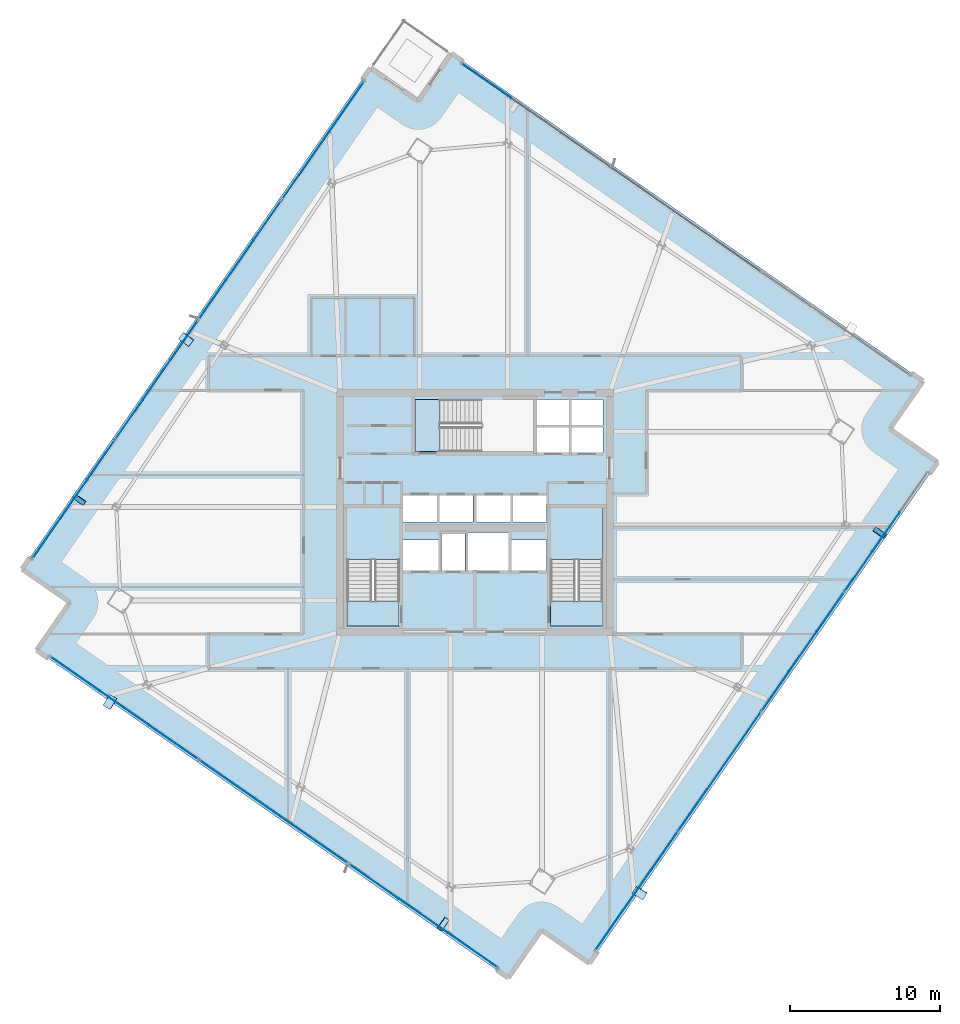
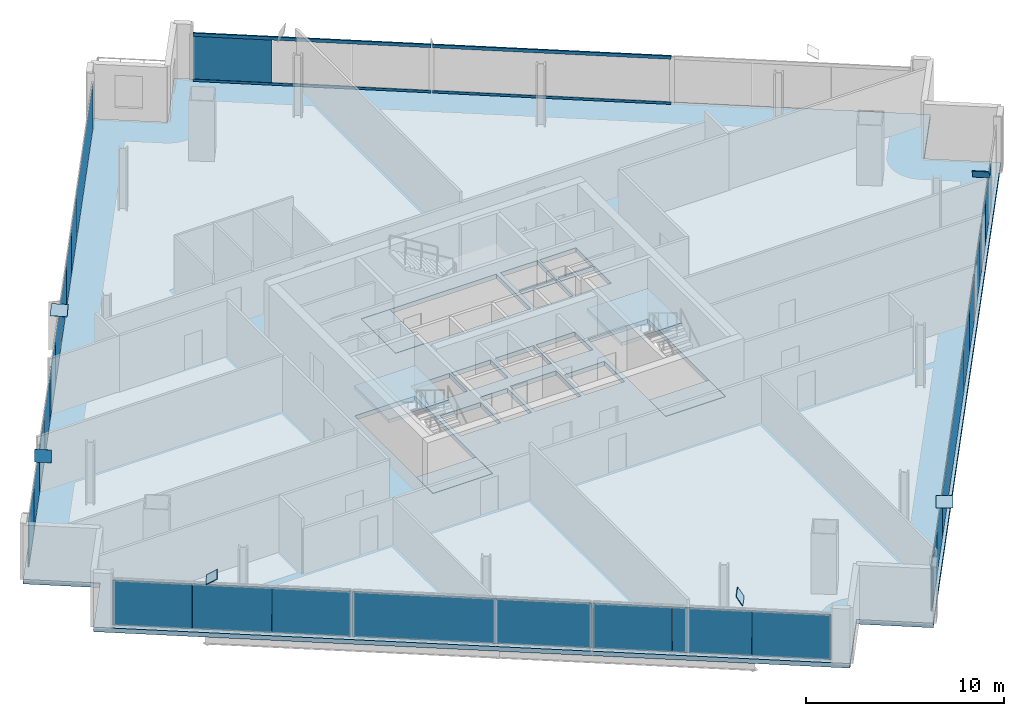
# One storey, part 21 of 30: 33 plates, 6 slabs, 4 members, 6 elements without a shape of their own.
"""IFC4 building model written with IfcOpenShell, lengths in metres."""

from ifc_helpers import new_model, si_unit, direction, frame, origin, origin_2d, place, context, subcontext, project, spatial, polyline, rectangle, hollow_rectangle, outline, extrude, source, transform, mapped, material, layer, layer_set, material_profile, profile_set, type_object, element, aggregate, save


model = new_model("IFC4")

# Units and contexts
model_context = context("Model", 3, precision=1e-05, world=origin(), true_north=direction((0.0, 1.0)))
body_context = subcontext(model_context, "Body", "Model", "MODEL_VIEW")
ifc_project = project(units=[si_unit("LENGTHUNIT", "METRE"), si_unit("AREAUNIT", "SQUARE_METRE"), si_unit("VOLUMEUNIT", "CUBIC_METRE"), si_unit("PLANEANGLEUNIT", "RADIAN"), si_unit("MASSUNIT", "GRAM", prefix="KILO")], contexts=[model_context])

# Site, building, storey
site_placement = place(None, origin())
site = spatial("IfcSite", under=ifc_project, at=site_placement, CompositionType="ELEMENT")
building_placement = place(site_placement, origin())
building = spatial("IfcBuilding", under=site, at=building_placement, Name="Haldenkirk Collegiate Tower", CompositionType="ELEMENT")
storey_placement = place(building_placement, frame((0.0, 0.0, 213.449951171875)))
storey = spatial("IfcBuildingStorey", under=building, at=storey_placement, Name="L53", CompositionType="ELEMENT", Elevation=213.449951171875)

# Curtain wall, members
ifc_material_1 = material(Name="Anodised architectural bronze aluminium", Category="aluminium")
curtain_wall_type_1 = type_object("IfcCurtainWallType", Name="CW-SYS1B-CONVEX-HI", PredefinedType="USERDEFINED", material=ifc_material_1)
curtain_wall_1_placement = place(storey_placement, origin())
curtain_wall_1 = element("IfcCurtainWall", 1, at=curtain_wall_1_placement, inside=storey, type_object=curtain_wall_type_1, Name="L53 Upper tower high-wind convex bronze unitised curtain wall", ObjectType="UNITISED CURTAIN WALL", PredefinedType="USERDEFINED")
ifc_material_profile = material_profile(ifc_material_1, hollow_rectangle(XDim=0.0849609375, YDim=0.199951171875, WallThickness=0.0048828125, at=origin_2d()), Name="CW-TRN-1B")
ifc_profile_set = profile_set([ifc_material_profile], Name="Anodised architectural bronze aluminium")
member_type = type_object("IfcMemberType", Name="CW-TRN-1B", PredefinedType="USERDEFINED", material=ifc_profile_set)
member_1_placement = place(storey_placement, frame((35.13671875, 55.973388671875, 0.04248046875), z_axis=(0.821151201015, -0.570710701732, 0.0), x_axis=(0.570710701732, 0.821151201015, 0.0)))
member_1 = element("IfcMember", 2, at=member_1_placement, type_object=member_type, Name="CW-1B transom 1.1", ObjectType="TRANSOM", PredefinedType="USERDEFINED", context=body_context, shape_type="SweptSolid", body=[
    extrude(hollow_rectangle(XDim=0.0849609375, YDim=0.199951171875, WallThickness=0.0048828125, at=origin_2d()), origin(), (0.0, 0.0, 1.0), 12.072509765625),
])
member_2_placement = place(storey_placement, frame((35.13671875, 55.973388671875, 2.885498046875), z_axis=(0.821151201015, -0.570710701732, 0.0), x_axis=(0.570710701732, 0.821151201015, 0.0)))
member_2 = element("IfcMember", 3, at=member_2_placement, type_object=member_type, Name="CW-1B transom 1.2", ObjectType="TRANSOM", PredefinedType="USERDEFINED", context=body_context, shape_type="SweptSolid", body=[
    extrude(hollow_rectangle(XDim=0.0849609375, YDim=0.199951171875, WallThickness=0.0048828125, at=origin_2d()), origin(), (0.0, 0.0, 1.0), 12.072509765625),
])
member_3_placement = place(storey_placement, frame((45.119873046875, 49.034912109375, 0.04248046875), z_axis=(0.821145410414, -0.570719033286, 0.0), x_axis=(0.570719033286, 0.821145410414, 0.0)))
member_3 = element("IfcMember", 4, at=member_3_placement, type_object=member_type, Name="CW-1B transom 2.1", ObjectType="TRANSOM", PredefinedType="USERDEFINED", context=body_context, shape_type="SweptSolid", body=[
    extrude(hollow_rectangle(XDim=0.0849609375, YDim=0.199951171875, WallThickness=0.0048828125, at=origin_2d()), origin(), (0.0, 0.0, 1.0), 12.114990234375),
])
member_4_placement = place(storey_placement, frame((45.119873046875, 49.034912109375, 2.885498046875), z_axis=(0.821145410414, -0.570719033286, 0.0), x_axis=(0.570719033286, 0.821145410414, 0.0)))
member_4 = element("IfcMember", 5, at=member_4_placement, type_object=member_type, Name="CW-1B transom 2.2", ObjectType="TRANSOM", PredefinedType="USERDEFINED", context=body_context, shape_type="SweptSolid", body=[
    extrude(hollow_rectangle(XDim=0.0849609375, YDim=0.199951171875, WallThickness=0.0048828125, at=origin_2d()), origin(), (0.0, 0.0, 1.0), 12.114990234375),
])

# Slab
ifc_material_2 = material(Name="Concrete f'c 40 MPa", Category="concrete")
ifc_layer_1 = layer(ifc_material_2, 0.280029296875)
ifc_layer_set_1 = layer_set([ifc_layer_1], Name="Concrete f'c 40 MPa")
slab_type_1 = type_object("IfcSlabType", Name="SLB-FLR-280", PredefinedType="FLOOR", material=ifc_layer_set_1)
slab_1_placement = place(storey_placement, frame((0.0, 0.0, -0.280029296875)))
element("IfcSlab", 6, at=slab_1_placement, inside=storey, type_object=slab_type_1, Name="L53 composite structural floor slab", PredefinedType="FLOOR", context=body_context, shape_type="SweptSolid", body=[
    extrude(outline(polyline([(43.654296875, -4.1630859375), (66.939697265625, 29.339599609375), (63.737060546875, 31.5654296875), (65.962890625, 34.767822265625), (34.4306640625, 56.683349609375), (32.205078125, 53.48095703125), (29.00244140625, 55.70654296875), (5.71728515625, 22.203857421875), (8.919921875, 19.97802734375), (6.694091796875, 16.775390625), (38.226318359375, -5.139892578125), (40.451904296875, -1.9375), (43.654296875, -4.1630859375)]), holes=[polyline([(27.449951171875, 18.39990234375), (30.949951171875, 18.39990234375), (30.949951171875, 26.300048828125), (27.449951171875, 26.300048828125), (27.449951171875, 18.39990234375)]), polyline([(41.050048828125, 18.39990234375), (44.550048828125, 18.39990234375), (44.550048828125, 26.300048828125), (41.050048828125, 26.300048828125), (41.050048828125, 18.39990234375)]), polyline([(32.0, 30.050048828125), (39.89990234375, 30.050048828125), (39.89990234375, 33.550048828125), (32.0, 33.550048828125), (32.0, 30.050048828125)]), polyline([(33.75, 22.10009765625), (35.35009765625, 22.10009765625), (35.35009765625, 24.550048828125), (33.75, 24.550048828125), (33.75, 22.10009765625)]), polyline([(40.14990234375, 29.949951171875), (42.320068359375, 29.949951171875), (42.320068359375, 31.699951171875), (40.14990234375, 31.699951171875), (40.14990234375, 29.949951171875)]), polyline([(42.419921875, 29.949951171875), (44.550048828125, 29.949951171875), (44.550048828125, 31.699951171875), (42.419921875, 31.699951171875), (42.419921875, 29.949951171875)]), polyline([(40.14990234375, 31.800048828125), (42.320068359375, 31.800048828125), (42.320068359375, 33.550048828125), (40.14990234375, 33.550048828125), (40.14990234375, 31.800048828125)]), polyline([(42.419921875, 31.800048828125), (44.550048828125, 31.800048828125), (44.550048828125, 33.550048828125), (42.419921875, 33.550048828125), (42.419921875, 31.800048828125)]), polyline([(31.199951171875, 25.35009765625), (33.47998046875, 25.35009765625), (33.47998046875, 27.14990234375), (31.199951171875, 27.14990234375), (31.199951171875, 25.35009765625)]), polyline([(33.60009765625, 25.35009765625), (35.8798828125, 25.35009765625), (35.8798828125, 27.14990234375), (33.60009765625, 27.14990234375), (33.60009765625, 25.35009765625)]), polyline([(36.1201171875, 25.35009765625), (38.39990234375, 25.35009765625), (38.39990234375, 27.14990234375), (36.1201171875, 27.14990234375), (36.1201171875, 25.35009765625)]), polyline([(38.52001953125, 25.35009765625), (40.800048828125, 25.35009765625), (40.800048828125, 27.14990234375), (38.52001953125, 27.14990234375), (38.52001953125, 25.35009765625)]), polyline([(31.199951171875, 22.10009765625), (33.550048828125, 22.10009765625), (33.550048828125, 24.14990234375), (31.199951171875, 24.14990234375), (31.199951171875, 22.10009765625)]), polyline([(38.449951171875, 22.10009765625), (40.800048828125, 22.10009765625), (40.800048828125, 24.14990234375), (38.449951171875, 24.14990234375), (38.449951171875, 22.10009765625)]), polyline([(35.550048828125, 22.10009765625), (38.25, 22.10009765625), (38.25, 24.64990234375), (35.550048828125, 24.64990234375), (35.550048828125, 22.10009765625)])]), origin(), (0.0, 0.0, 1.0), 0.280029296875),
])

# Stair, slab
stair_type = type_object("IfcStairType", Name="STR-DOGLEG-1650", PredefinedType="HALF_TURN_STAIR", material=ifc_material_2)
stair_1_placement = place(storey_placement, origin())
stair_1 = element("IfcStair", 7, at=stair_1_placement, inside=storey, type_object=stair_type, Name="L53 Core Exit Stair ST-1", PredefinedType="HALF_TURN_STAIR")
ifc_layer_2 = layer(ifc_material_2, 0.199951171875)
ifc_layer_set_2 = layer_set([ifc_layer_2], Name="Concrete f'c 40 MPa")
slab_type_2 = type_object("IfcSlabType", Name="SLB-LANDING-200", PredefinedType="LANDING", material=ifc_layer_set_2)
slab_2_placement = place(storey_placement, frame((0.0, 0.0, 1.675048828125)))
slab_2 = element("IfcSlab", 8, at=slab_2_placement, type_object=slab_type_2, Name="ST-1 landing 1", PredefinedType="LANDING", context=body_context, shape_type="SweptSolid", body=[
    extrude(outline(polyline([(30.97509765625, 22.824951171875), (27.425048828125, 22.824951171875), (27.425048828125, 26.324951171875), (30.97509765625, 26.324951171875), (30.97509765625, 22.824951171875)])), origin(), (0.0, 0.0, 1.0), 0.199951171875),
])
aggregate(stair_1, [slab_2])

stair_2_placement = place(storey_placement, origin())
stair_2 = element("IfcStair", 9, at=stair_2_placement, inside=storey, type_object=stair_type, Name="L53 Core Exit Stair ST-2", PredefinedType="HALF_TURN_STAIR")
slab_3_placement = place(storey_placement, frame((0.0, 0.0, 1.675048828125)))
slab_3 = element("IfcSlab", 10, at=slab_3_placement, type_object=slab_type_2, Name="ST-2 landing 1", PredefinedType="LANDING", context=body_context, shape_type="SweptSolid", body=[
    extrude(outline(polyline([(44.574951171875, 22.824951171875), (41.02490234375, 22.824951171875), (41.02490234375, 26.324951171875), (44.574951171875, 26.324951171875), (44.574951171875, 22.824951171875)])), origin(), (0.0, 0.0, 1.0), 0.199951171875),
])
aggregate(stair_2, [slab_3])

# Slabs
ifc_layer_3 = layer(ifc_material_2, 0.25)
ifc_layer_set_3 = layer_set([ifc_layer_3], Name="Concrete f'c 40 MPa")
slab_type_3 = type_object("IfcSlabType", Name="SLB-STAIRLAND-250", PredefinedType="LANDING", material=ifc_layer_set_3)
slab_4_placement = place(storey_placement, frame((0.0, 0.0, -0.25)))
element("IfcSlab", 11, at=slab_4_placement, inside=storey, type_object=slab_type_3, Name="L53 stair ST1 structural floor landing slab", PredefinedType="LANDING", context=body_context, shape_type="SweptSolid", body=[
    extrude(outline(polyline([(27.4599609375, 18.409912109375), (30.93994140625, 18.409912109375), (30.93994140625, 20.080078125), (27.4599609375, 20.080078125), (27.4599609375, 18.409912109375)])), origin(), (0.0, 0.0, 1.0), 0.25),
])
slab_5_placement = place(storey_placement, frame((0.0, 0.0, -0.25)))
element("IfcSlab", 12, at=slab_5_placement, inside=storey, type_object=slab_type_3, Name="L53 stair ST2 structural floor landing slab", PredefinedType="LANDING", context=body_context, shape_type="SweptSolid", body=[
    extrude(outline(polyline([(41.06005859375, 18.409912109375), (44.5400390625, 18.409912109375), (44.5400390625, 20.080078125), (41.06005859375, 20.080078125), (41.06005859375, 18.409912109375)])), origin(), (0.0, 0.0, 1.0), 0.25),
])
slab_6_placement = place(storey_placement, frame((0.0, 0.0, -0.25)))
element("IfcSlab", 13, at=slab_6_placement, inside=storey, type_object=slab_type_3, Name="L53 stair ST3 structural floor landing slab", PredefinedType="LANDING", context=body_context, shape_type="SweptSolid", body=[
    extrude(outline(polyline([(32.010009765625, 30.06005859375), (33.679931640625, 30.06005859375), (33.679931640625, 33.5400390625), (32.010009765625, 33.5400390625), (32.010009765625, 30.06005859375)])), origin(), (0.0, 0.0, 1.0), 0.25),
])

# Plates
ifc_material_3 = material(Name="Steel ASTM A572 Grade 50", Category="steel")
ifc_layer_4 = layer(ifc_material_3, 0.034912109375)
ifc_layer_set_4 = layer_set([ifc_layer_4], Name="Steel ASTM A572 Grade 50")
plate_type_1 = type_object("IfcPlateType", Name="PLT-CAP-EXT-760X600", PredefinedType="USERDEFINED", material=ifc_layer_set_4)
shared_shape_1 = source(origin(), body_context, "Body", "SweptSolid", [
    extrude(rectangle(XDim=0.860107421875, YDim=0.659912109375, at=origin_2d()), origin(), (0.0, 0.0, 1.0), 0.034912109375),
])
for number, where, z_axis, x_axis, name in (
    (14, (47.020263671875, 0.54296875, 3.457763671875), (-0.296758091175, -0.496444152527, 0.815768250635), (0.858337178767, -0.513086043023, -7.7284e-08), "Perimeter Mega Brace Z4 L51-L53 SL end cap plate 2"),
    (15, (63.050537109375, 24.624755859375, 3.458740234375), (0.501740043545, 0.72441206287, 0.472741041028), (-0.822073173242, 0.569381855907, -1.16466e-07), "Perimeter Mega Brace Z4 L51-L53 SR end cap plate 2"),
    (16, (16.69287109375, 37.56396484375, 3.457763671875), (-0.353374032712, -0.479710044407, 0.803122074345), (0.805133390681, -0.593093772695, 2.40435e-07), "Perimeter Mega Brace Z4 L51-L53 NL end cap plate 2"),
    (17, (9.56005859375, 26.848876953125, 3.458740234375), (-0.5032190179, -0.726129025829, 0.468516016666), (0.821919546242, -0.569603598571, -3.39981e-07), "Perimeter Mega Brace Z4 L51-L53 NR end cap plate 2"),
    (18, (11.61181640625, 13.30712890625, 3.45751953125), (-0.467231973752, 0.282895984107, 0.837653952942), (-0.517933740174, -0.855420739046, -1.33582e-07), "Perimeter Mega Brace Z4 L51-L53 WL end cap plate 2"),
    (19, (33.875, -1.5126953125, 3.45849609375), (0.712468177264, -0.491091122185, 0.501217124704), (0.567524304693, 0.823356644221, 2.62264e-07), "Perimeter Mega Brace Z4 L51-L53 WR end cap plate 2"),
):
    element("IfcPlate", number, at=place(storey_placement, frame(where, z_axis=z_axis, x_axis=x_axis)), inside=storey, type_object=plate_type_1, Name=name, ObjectType="END CAP PLATE", PredefinedType="USERDEFINED", context=body_context, shape_type="MappedRepresentation", body=[
        mapped(shared_shape_1, transform((0.0, 0.0, 0.0), x_axis=(1.0, 0.0, 0.0), y_axis=(0.0, 1.0, 0.0), z_axis=(0.0, 0.0, 1.0), scale=1.0)),
    ])

# Curtain wall, plates
curtain_wall_type_2 = type_object("IfcCurtainWallType", Name="CW-SYS2-CONCAVE", PredefinedType="USERDEFINED", material=ifc_material_1)
curtain_wall_2_placement = place(storey_placement, origin())
curtain_wall_2 = element("IfcCurtainWall", 20, at=curtain_wall_2_placement, inside=storey, type_object=curtain_wall_type_2, Name="L53 South concave recessed bronze-anodised curtain wall", ObjectType="UNITISED CURTAIN WALL", PredefinedType="USERDEFINED")
ifc_material_4 = material(Name="Low-E argon triple insulating glass", Category="glass")
ifc_layer_5 = layer(ifc_material_4, 0.0419921875)
ifc_layer_set_5 = layer_set([ifc_layer_5], Name="Low-E argon triple insulating glass")
plate_type_2 = type_object("IfcPlateType", Name="CW-PNL-02", PredefinedType="CURTAIN_PANEL", material=ifc_layer_set_5)
shared_shape_2 = source(origin(), body_context, "Body", "SweptSolid", [
    extrude(rectangle(XDim=9.675048828125, YDim=0.0419921875, at=origin_2d()), origin(), (0.0, 0.0, 1.0), 2.778076171875),
])
plate_1_placement = place(storey_placement, frame((52.366943359375, 8.687744140625, 0.0751953125), z_axis=(0.0, 0.0, 1.0), x_axis=(-0.570715550295, -0.82114783118, 0.0)))
plate_1 = element("IfcPlate", 21, at=plate_1_placement, type_object=plate_type_2, Name="CW-02 panel 3.1", PredefinedType="CURTAIN_PANEL", context=body_context, shape_type="MappedRepresentation", body=[
    mapped(shared_shape_2, transform((0.0, 0.0, 0.0), x_axis=(1.0, 0.0, 0.0), y_axis=(0.0, 1.0, 0.0), z_axis=(0.0, 0.0, 1.0), scale=1.0)),
])
ifc_material_5 = material(Name="Bronze-anodised insulated aluminium spandrel panel", Category="aluminium")
ifc_layer_6 = layer(ifc_material_5, 0.0419921875)
ifc_layer_set_6 = layer_set([ifc_layer_6], Name="Bronze-anodised insulated aluminium spandrel panel")
plate_type_3 = type_object("IfcPlateType", Name="CW-SPD-02", PredefinedType="CURTAIN_PANEL", material=ifc_layer_set_6)
shared_shape_3 = source(origin(), body_context, "Body", "SweptSolid", [
    extrude(rectangle(XDim=3.21240234375, YDim=0.0419921875, at=origin_2d()), origin(), (0.0, 0.0, 1.0), 2.778076171875),
])
plate_2_placement = place(storey_placement, frame((59.775634765625, 19.347412109375, 0.0751953125), z_axis=(0.0, 0.0, 1.0), x_axis=(-0.570715550295, -0.82114783118, 0.0)))
plate_2 = element("IfcPlate", 22, at=plate_2_placement, type_object=plate_type_3, Name="CW-02 spandrel panel 2.1a", PredefinedType="CURTAIN_PANEL", context=body_context, shape_type="MappedRepresentation", body=[
    mapped(shared_shape_3, transform((0.0, 0.0, 0.0), x_axis=(1.0, 0.0, 0.0), y_axis=(0.0, 1.0, 0.0), z_axis=(0.0, 0.0, 1.0), scale=1.0)),
])
plate_3_placement = place(storey_placement, frame((56.08740234375, 14.040771484375, 0.0751953125), z_axis=(0.0, 0.0, 1.0), x_axis=(-0.570715550295, -0.82114783118, 0.0)))
plate_3 = element("IfcPlate", 23, at=plate_3_placement, type_object=plate_type_2, Name="CW-02 panel 2.1c", PredefinedType="CURTAIN_PANEL", context=body_context, shape_type="MappedRepresentation", body=[
    mapped(shared_shape_3, transform((0.0, 0.0, 0.0), x_axis=(1.0, 0.0, 0.0), y_axis=(0.0, 1.0, 0.0), z_axis=(0.0, 0.0, 1.0), scale=1.0)),
])
shared_shape_4 = source(origin(), body_context, "Body", "SweptSolid", [
    extrude(rectangle(XDim=3.199951171875, YDim=0.0419921875, at=origin_2d()), origin(), (0.0, 0.0, 1.0), 2.778076171875),
])
plate_4_placement = place(storey_placement, frame((61.648193359375, 22.041748046875, 0.0751953125), z_axis=(0.0, 0.0, 1.0), x_axis=(-0.570715550295, -0.82114783118, 0.0)))
plate_4 = element("IfcPlate", 24, at=plate_4_placement, type_object=plate_type_3, Name="CW-02 spandrel panel 1.1c", PredefinedType="CURTAIN_PANEL", context=body_context, shape_type="MappedRepresentation", body=[
    mapped(shared_shape_4, transform((0.0, 0.0, 0.0), x_axis=(1.0, 0.0, 0.0), y_axis=(0.0, 1.0, 0.0), z_axis=(0.0, 0.0, 1.0), scale=1.0)),
])
plate_5_placement = place(storey_placement, frame((57.931396484375, 16.694091796875, 0.0751953125), z_axis=(0.0, 0.0, 1.0), x_axis=(-0.570715550295, -0.82114783118, 0.0)))
plate_5 = element("IfcPlate", 25, at=plate_5_placement, type_object=plate_type_2, Name="CW-02 panel 2.1b", PredefinedType="CURTAIN_PANEL", context=body_context, shape_type="MappedRepresentation", body=[
    mapped(shared_shape_4, transform((0.0, 0.0, 0.0), x_axis=(1.0, 0.0, 0.0), y_axis=(0.0, 1.0, 0.0), z_axis=(0.0, 0.0, 1.0), scale=1.0)),
])
plate_6_placement = place(storey_placement, frame((48.650146484375, 3.340087890625, 0.0751953125), z_axis=(0.0, 0.0, 1.0), x_axis=(-0.570715550295, -0.82114783118, 0.0)))
plate_6 = element("IfcPlate", 26, at=plate_6_placement, type_object=plate_type_3, Name="CW-02 spandrel panel 4.1a", PredefinedType="CURTAIN_PANEL", context=body_context, shape_type="MappedRepresentation", body=[
    mapped(shared_shape_4, transform((0.0, 0.0, 0.0), x_axis=(1.0, 0.0, 0.0), y_axis=(0.0, 1.0, 0.0), z_axis=(0.0, 0.0, 1.0), scale=1.0)),
])
plate_7_placement = place(storey_placement, frame((44.976318359375, -1.946044921875, 0.0751953125), z_axis=(0.0, 0.0, 1.0), x_axis=(-0.570715550295, -0.82114783118, 0.0)))
plate_7 = element("IfcPlate", 27, at=plate_7_placement, type_object=plate_type_2, Name="CW-02 panel 4.1c", PredefinedType="CURTAIN_PANEL", context=body_context, shape_type="MappedRepresentation", body=[
    mapped(shared_shape_4, transform((0.0, 0.0, 0.0), x_axis=(1.0, 0.0, 0.0), y_axis=(0.0, 1.0, 0.0), z_axis=(0.0, 0.0, 1.0), scale=1.0)),
])

# Plate
ifc_layer_7 = layer(ifc_material_4, 0.048095703125)
ifc_layer_set_7 = layer_set([ifc_layer_7], Name="Low-E argon triple insulating glass")
plate_type_4 = type_object("IfcPlateType", Name="CW-PNL-1B", PredefinedType="CURTAIN_PANEL", material=ifc_layer_set_7)
shared_shape_5 = source(origin(), body_context, "Body", "SweptSolid", [
    extrude(rectangle(XDim=4.01171875, YDim=0.048095703125, at=origin_2d()), origin(), (0.0, 0.0, 1.0), 2.758056640625),
])
plate_8_placement = place(storey_placement, frame((36.783935546875, 54.82861328125, 0.0849609375), z_axis=(0.0, 0.0, 1.0), x_axis=(0.821149377472, -0.570713325478, 0.0)))
plate_8 = element("IfcPlate", 28, at=plate_8_placement, type_object=plate_type_4, Name="CW-1B panel 1.1a", PredefinedType="CURTAIN_PANEL", context=body_context, shape_type="MappedRepresentation", body=[
    mapped(shared_shape_5, transform((0.0, 0.0, 0.0), x_axis=(1.0, 0.0, 0.0), y_axis=(0.0, 1.0, 0.0), z_axis=(0.0, 0.0, 1.0), scale=1.0)),
])

aggregate(curtain_wall_1, [member_1, member_2, plate_8, member_3, member_4])

# Curtain wall, plates
curtain_wall_3_placement = place(storey_placement, origin())
curtain_wall_3 = element("IfcCurtainWall", 29, at=curtain_wall_3_placement, inside=storey, type_object=curtain_wall_type_1, Name="L53 Upper tower high-wind convex bronze unitised curtain wall", ObjectType="UNITISED CURTAIN WALL", PredefinedType="USERDEFINED")
plate_9_placement = place(storey_placement, frame((35.873046875, -3.28515625, 0.0849609375), z_axis=(0.0, 0.0, 1.0), x_axis=(-0.821148487541, 0.570714605919, 0.0)))
plate_9 = element("IfcPlate", 30, at=plate_9_placement, type_object=plate_type_4, Name="CW-1B panel 1.1a", PredefinedType="CURTAIN_PANEL", context=body_context, shape_type="MappedRepresentation", body=[
    mapped(shared_shape_5, transform((0.0, 0.0, 0.0), x_axis=(1.0, 0.0, 0.0), y_axis=(0.0, 1.0, 0.0), z_axis=(0.0, 0.0, 1.0), scale=1.0)),
])
ifc_layer_8 = layer(ifc_material_5, 0.048095703125)
ifc_layer_set_8 = layer_set([ifc_layer_8], Name="Bronze-anodised insulated aluminium spandrel panel")
plate_type_5 = type_object("IfcPlateType", Name="CW-SPD-1B", PredefinedType="CURTAIN_PANEL", material=ifc_layer_set_8)
plate_10_placement = place(storey_placement, frame((29.25390625, 1.315185546875, 0.0849609375), z_axis=(0.0, 0.0, 1.0), x_axis=(-0.821148487541, 0.570714605919, 0.0)))
plate_10 = element("IfcPlate", 31, at=plate_10_placement, type_object=plate_type_5, Name="CW-1B spandrel panel 1.1c", PredefinedType="CURTAIN_PANEL", context=body_context, shape_type="MappedRepresentation", body=[
    mapped(shared_shape_5, transform((0.0, 0.0, 0.0), x_axis=(1.0, 0.0, 0.0), y_axis=(0.0, 1.0, 0.0), z_axis=(0.0, 0.0, 1.0), scale=1.0)),
])
plate_11_placement = place(storey_placement, frame((15.871826171875, 10.615966796875, 0.0849609375), z_axis=(0.0, 0.0, 1.0), x_axis=(-0.821148487541, 0.570714605919, 0.0)))
plate_11 = element("IfcPlate", 32, at=plate_11_placement, type_object=plate_type_4, Name="CW-1B panel 3.1a", PredefinedType="CURTAIN_PANEL", context=body_context, shape_type="MappedRepresentation", body=[
    mapped(shared_shape_5, transform((0.0, 0.0, 0.0), x_axis=(1.0, 0.0, 0.0), y_axis=(0.0, 1.0, 0.0), z_axis=(0.0, 0.0, 1.0), scale=1.0)),
])
plate_12_placement = place(storey_placement, frame((9.252685546875, 15.21630859375, 0.0849609375), z_axis=(0.0, 0.0, 1.0), x_axis=(-0.821148487541, 0.570714605919, 0.0)))
plate_12 = element("IfcPlate", 33, at=plate_12_placement, type_object=plate_type_4, Name="CW-1B panel 3.1c", PredefinedType="CURTAIN_PANEL", context=body_context, shape_type="MappedRepresentation", body=[
    mapped(shared_shape_5, transform((0.0, 0.0, 0.0), x_axis=(1.0, 0.0, 0.0), y_axis=(0.0, 1.0, 0.0), z_axis=(0.0, 0.0, 1.0), scale=1.0)),
])
shared_shape_6 = source(origin(), body_context, "Body", "SweptSolid", [
    extrude(rectangle(XDim=3.999267578125, YDim=0.048095703125, at=origin_2d()), origin(), (0.0, 0.0, 1.0), 2.758056640625),
])
plate_13_placement = place(storey_placement, frame((32.5634765625, -0.985107421875, 0.0849609375), z_axis=(0.0, 0.0, 1.0), x_axis=(-0.821148487541, 0.570714605919, 0.0)))
plate_13 = element("IfcPlate", 34, at=plate_13_placement, type_object=plate_type_5, Name="CW-1B spandrel panel 1.1b", PredefinedType="CURTAIN_PANEL", context=body_context, shape_type="MappedRepresentation", body=[
    mapped(shared_shape_6, transform((0.0, 0.0, 0.0), x_axis=(1.0, 0.0, 0.0), y_axis=(0.0, 1.0, 0.0), z_axis=(0.0, 0.0, 1.0), scale=1.0)),
])
plate_14_placement = place(storey_placement, frame((12.562255859375, 12.916259765625, 0.0849609375), z_axis=(0.0, 0.0, 1.0), x_axis=(-0.821148487541, 0.570714605919, 0.0)))
plate_14 = element("IfcPlate", 35, at=plate_14_placement, type_object=plate_type_5, Name="CW-1B spandrel panel 3.1b", PredefinedType="CURTAIN_PANEL", context=body_context, shape_type="MappedRepresentation", body=[
    mapped(shared_shape_6, transform((0.0, 0.0, 0.0), x_axis=(1.0, 0.0, 0.0), y_axis=(0.0, 1.0, 0.0), z_axis=(0.0, 0.0, 1.0), scale=1.0)),
])

curtain_wall_4_placement = place(storey_placement, origin())
curtain_wall_4 = element("IfcCurtainWall", 36, at=curtain_wall_4_placement, inside=storey, type_object=curtain_wall_type_1, Name="L53 Upper tower high-wind convex bronze unitised curtain wall", ObjectType="UNITISED CURTAIN WALL", PredefinedType="USERDEFINED")
shared_shape_7 = source(origin(), body_context, "Body", "SweptSolid", [
    extrude(rectangle(XDim=9.62255859375, YDim=0.048095703125, at=origin_2d()), origin(), (0.0, 0.0, 1.0), 2.758056640625),
])
plate_15_placement = place(storey_placement, frame((25.84228515625, 50.84423828125, 0.0849609375), z_axis=(0.0, 0.0, 1.0), x_axis=(0.570715023002, 0.82114819766, 0.0)))
plate_15 = element("IfcPlate", 37, at=plate_15_placement, type_object=plate_type_4, Name="CW-1B panel 4.1", PredefinedType="CURTAIN_PANEL", context=body_context, shape_type="MappedRepresentation", body=[
    mapped(shared_shape_7, transform((0.0, 0.0, 0.0), x_axis=(1.0, 0.0, 0.0), y_axis=(0.0, 1.0, 0.0), z_axis=(0.0, 0.0, 1.0), scale=1.0)),
])
shared_shape_8 = source(origin(), body_context, "Body", "SweptSolid", [
    extrude(rectangle(XDim=3.209228515625, YDim=0.048095703125, at=origin_2d()), origin(), (0.0, 0.0, 1.0), 2.758056640625),
])
plate_16_placement = place(storey_placement, frame((12.88330078125, 32.19873046875, 0.0849609375), z_axis=(0.0, 0.0, 1.0), x_axis=(0.570715023002, 0.82114819766, 0.0)))
plate_16 = element("IfcPlate", 38, at=plate_16_placement, type_object=plate_type_5, Name="CW-1B spandrel panel 2.1a", PredefinedType="CURTAIN_PANEL", context=body_context, shape_type="MappedRepresentation", body=[
    mapped(shared_shape_8, transform((0.0, 0.0, 0.0), x_axis=(1.0, 0.0, 0.0), y_axis=(0.0, 1.0, 0.0), z_axis=(0.0, 0.0, 1.0), scale=1.0)),
])
plate_17_placement = place(storey_placement, frame((16.567626953125, 37.5, 0.0849609375), z_axis=(0.0, 0.0, 1.0), x_axis=(0.570715023002, 0.82114819766, 0.0)))
plate_17 = element("IfcPlate", 39, at=plate_17_placement, type_object=plate_type_5, Name="CW-1B spandrel panel 2.1c", PredefinedType="CURTAIN_PANEL", context=body_context, shape_type="MappedRepresentation", body=[
    mapped(shared_shape_8, transform((0.0, 0.0, 0.0), x_axis=(1.0, 0.0, 0.0), y_axis=(0.0, 1.0, 0.0), z_axis=(0.0, 0.0, 1.0), scale=1.0)),
])
plate_18_placement = place(storey_placement, frame((18.44775390625, 40.205078125, 0.0849609375), z_axis=(0.0, 0.0, 1.0), x_axis=(0.570715023002, 0.82114819766, 0.0)))
plate_18 = element("IfcPlate", 40, at=plate_18_placement, type_object=plate_type_5, Name="CW-1B spandrel panel 3.1a", PredefinedType="CURTAIN_PANEL", context=body_context, shape_type="MappedRepresentation", body=[
    mapped(shared_shape_8, transform((0.0, 0.0, 0.0), x_axis=(1.0, 0.0, 0.0), y_axis=(0.0, 1.0, 0.0), z_axis=(0.0, 0.0, 1.0), scale=1.0)),
])
plate_19_placement = place(storey_placement, frame((22.132080078125, 45.506103515625, 0.0849609375), z_axis=(0.0, 0.0, 1.0), x_axis=(0.570715023002, 0.82114819766, 0.0)))
plate_19 = element("IfcPlate", 41, at=plate_19_placement, type_object=plate_type_4, Name="CW-1B panel 3.1c", PredefinedType="CURTAIN_PANEL", context=body_context, shape_type="MappedRepresentation", body=[
    mapped(shared_shape_8, transform((0.0, 0.0, 0.0), x_axis=(1.0, 0.0, 0.0), y_axis=(0.0, 1.0, 0.0), z_axis=(0.0, 0.0, 1.0), scale=1.0)),
])
shared_shape_9 = source(origin(), body_context, "Body", "SweptSolid", [
    extrude(rectangle(XDim=3.19677734375, YDim=0.048095703125, at=origin_2d()), origin(), (0.0, 0.0, 1.0), 2.758056640625),
])
plate_20_placement = place(storey_placement, frame((14.7255859375, 34.849365234375, 0.0849609375), z_axis=(0.0, 0.0, 1.0), x_axis=(0.570715023002, 0.82114819766, 0.0)))
plate_20 = element("IfcPlate", 42, at=plate_20_placement, type_object=plate_type_4, Name="CW-1B panel 2.1b", PredefinedType="CURTAIN_PANEL", context=body_context, shape_type="MappedRepresentation", body=[
    mapped(shared_shape_9, transform((0.0, 0.0, 0.0), x_axis=(1.0, 0.0, 0.0), y_axis=(0.0, 1.0, 0.0), z_axis=(0.0, 0.0, 1.0), scale=1.0)),
])
plate_21_placement = place(storey_placement, frame((20.2900390625, 42.855712890625, 0.0849609375), z_axis=(0.0, 0.0, 1.0), x_axis=(0.570715023002, 0.82114819766, 0.0)))
plate_21 = element("IfcPlate", 43, at=plate_21_placement, type_object=plate_type_4, Name="CW-1B panel 3.1b", PredefinedType="CURTAIN_PANEL", context=body_context, shape_type="MappedRepresentation", body=[
    mapped(shared_shape_9, transform((0.0, 0.0, 0.0), x_axis=(1.0, 0.0, 0.0), y_axis=(0.0, 1.0, 0.0), z_axis=(0.0, 0.0, 1.0), scale=1.0)),
])

# Plate
shared_shape_10 = source(origin(), body_context, "Body", "SweptSolid", [
    extrude(rectangle(XDim=3.1875, YDim=0.0419921875, at=origin_2d()), origin(), (0.0, 0.0, 1.0), 2.778076171875),
])
plate_22_placement = place(storey_placement, frame((63.485107421875, 24.684814453125, 0.0751953125), z_axis=(0.0, 0.0, 1.0), x_axis=(-0.570715550295, -0.82114783118, 0.0)))
plate_22 = element("IfcPlate", 44, at=plate_22_placement, type_object=plate_type_3, Name="CW-02 spandrel panel 1.1b", PredefinedType="CURTAIN_PANEL", context=body_context, shape_type="MappedRepresentation", body=[
    mapped(shared_shape_10, transform((0.0, 0.0, 0.0), x_axis=(1.0, 0.0, 0.0), y_axis=(0.0, 1.0, 0.0), z_axis=(0.0, 0.0, 1.0), scale=1.0)),
])

plate_23_placement = place(storey_placement, frame((46.813232421875, 0.697021484375, 0.0751953125), z_axis=(0.0, 0.0, 1.0), x_axis=(-0.570715550295, -0.82114783118, 0.0)))
plate_23 = element("IfcPlate", 45, at=plate_23_placement, type_object=plate_type_3, Name="CW-02 spandrel panel 4.1b", PredefinedType="CURTAIN_PANEL", context=body_context, shape_type="MappedRepresentation", body=[
    mapped(shared_shape_10, transform((0.0, 0.0, 0.0), x_axis=(1.0, 0.0, 0.0), y_axis=(0.0, 1.0, 0.0), z_axis=(0.0, 0.0, 1.0), scale=1.0)),
])

aggregate(curtain_wall_2, [plate_22, plate_4, plate_2, plate_5, plate_3, plate_1, plate_6, plate_23, plate_7])

shared_shape_11 = source(origin(), body_context, "Body", "SweptSolid", [
    extrude(rectangle(XDim=12.114990234375, YDim=0.048095703125, at=origin_2d()), origin(), (0.0, 0.0, 1.0), 2.758056640625),
])
plate_24_placement = place(storey_placement, frame((22.562744140625, 5.965576171875, 0.0849609375), z_axis=(0.0, 0.0, 1.0), x_axis=(-0.821148487541, 0.570714605919, 0.0)))
plate_24 = element("IfcPlate", 46, at=plate_24_placement, type_object=plate_type_4, Name="CW-1B panel 2.1", PredefinedType="CURTAIN_PANEL", context=body_context, shape_type="MappedRepresentation", body=[
    mapped(shared_shape_11, transform((0.0, 0.0, 0.0), x_axis=(1.0, 0.0, 0.0), y_axis=(0.0, 1.0, 0.0), z_axis=(0.0, 0.0, 1.0), scale=1.0)),
])

aggregate(curtain_wall_3, [plate_9, plate_13, plate_10, plate_24, plate_11, plate_14, plate_12])

shared_shape_12 = source(origin(), body_context, "Body", "SweptSolid", [
    extrude(rectangle(XDim=3.195068359375, YDim=0.048095703125, at=origin_2d()), origin(), (0.0, 0.0, 1.0), 2.758056640625),
])
plate_25_placement = place(storey_placement, frame((7.339111328125, 24.2216796875, 0.0849609375), z_axis=(0.0, 0.0, 1.0), x_axis=(0.570715023002, 0.82114819766, 0.0)))
plate_25 = element("IfcPlate", 47, at=plate_25_placement, type_object=plate_type_4, Name="CW-1B panel 1.1a", PredefinedType="CURTAIN_PANEL", context=body_context, shape_type="MappedRepresentation", body=[
    mapped(shared_shape_12, transform((0.0, 0.0, 0.0), x_axis=(1.0, 0.0, 0.0), y_axis=(0.0, 1.0, 0.0), z_axis=(0.0, 0.0, 1.0), scale=1.0)),
])

plate_26_placement = place(storey_placement, frame((11.00732421875, 29.49951171875, 0.0849609375), z_axis=(0.0, 0.0, 1.0), x_axis=(0.570715023002, 0.82114819766, 0.0)))
plate_26 = element("IfcPlate", 48, at=plate_26_placement, type_object=plate_type_5, Name="CW-1B spandrel panel 1.1c", PredefinedType="CURTAIN_PANEL", context=body_context, shape_type="MappedRepresentation", body=[
    mapped(shared_shape_12, transform((0.0, 0.0, 0.0), x_axis=(1.0, 0.0, 0.0), y_axis=(0.0, 1.0, 0.0), z_axis=(0.0, 0.0, 1.0), scale=1.0)),
])

shared_shape_13 = source(origin(), body_context, "Body", "SweptSolid", [
    extrude(rectangle(XDim=3.1826171875, YDim=0.048095703125, at=origin_2d()), origin(), (0.0, 0.0, 1.0), 2.758056640625),
])
plate_27_placement = place(storey_placement, frame((9.173095703125, 26.860595703125, 0.0849609375), z_axis=(0.0, 0.0, 1.0), x_axis=(0.570715023002, 0.82114819766, 0.0)))
plate_27 = element("IfcPlate", 49, at=plate_27_placement, type_object=plate_type_5, Name="CW-1B spandrel panel 1.1b", PredefinedType="CURTAIN_PANEL", context=body_context, shape_type="MappedRepresentation", body=[
    mapped(shared_shape_13, transform((0.0, 0.0, 0.0), x_axis=(1.0, 0.0, 0.0), y_axis=(0.0, 1.0, 0.0), z_axis=(0.0, 0.0, 1.0), scale=1.0)),
])

aggregate(curtain_wall_4, [plate_25, plate_27, plate_26, plate_16, plate_20, plate_17, plate_18, plate_21, plate_19, plate_15])

save(model, "model.ifc")
